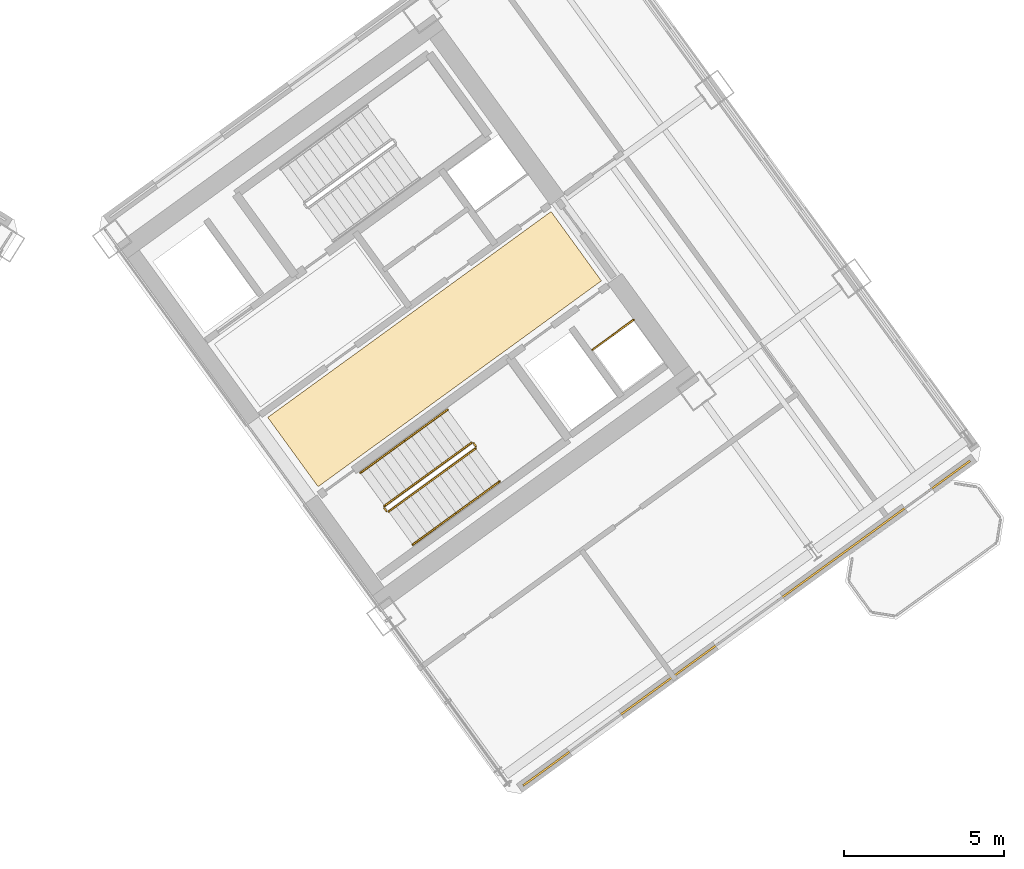
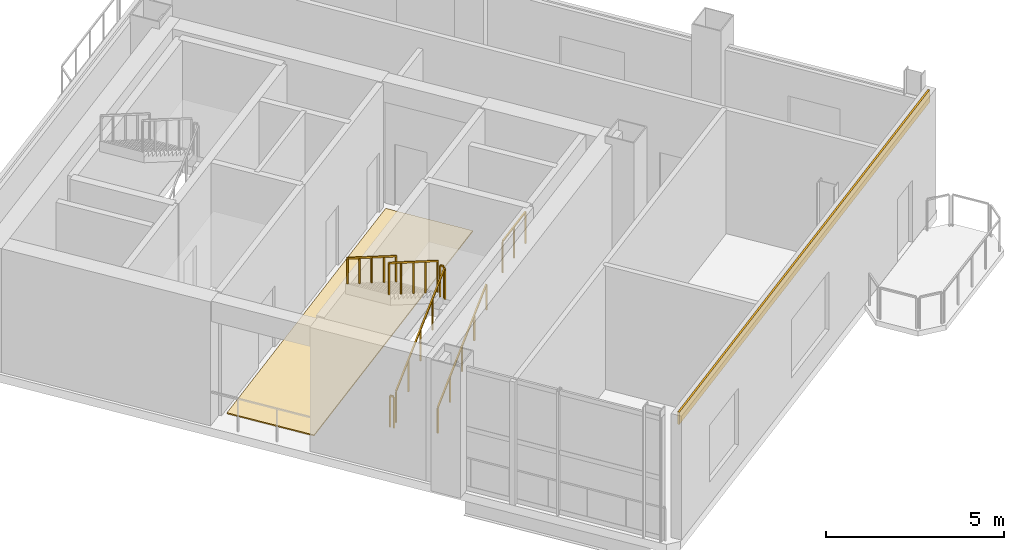
# One storey, part 16 of 18: 9 railings, 2 coverings.
"""IFC4 building model written with IfcOpenShell, lengths in metres."""

import ifcopenshell
import ifcopenshell.guid

model = None  # the IFC model being written
_history = None  # IfcOwnerHistory: only IFC2X3 demands one
_inside = {}  # id of a spatial element -> (the spatial element, [elements in it])
_under = {}  # id of a project, library or spatial element -> (it, [spatial elements below it])
_declared = {}  # id of a project -> (the project, [libraries it declares])
_typed = {}  # id of a type object -> (the type object, [elements of that type])
_made_of = {}  # id of a material, layer set ... -> (it, [elements and type objects made of it])


def new_model(schema):
    """Start an empty IFC model of exactly this schema.

    Asked for "IFC4X3", IfcOpenShell would pick the latest addendum, in which some entities
    have other attributes; the version numbers below select the first issue.
    IFC2X3 requires an IfcOwnerHistory on every rooted entity: one is made here for all.
    """
    global model, _history
    if schema == "IFC4X3":
        model = ifcopenshell.file(schema_version=(4, 3, 0, 0))
    else:
        model = ifcopenshell.file(schema=schema)
    _inside.clear()
    _under.clear()
    _declared.clear()
    _typed.clear()
    _made_of.clear()
    _history = None
    if model.schema == "IFC2X3":
        org = make("IfcOrganization", Name="unknown")
        user = make(
            "IfcPersonAndOrganization",
            ThePerson=make("IfcPerson", FamilyName="unknown"),
            TheOrganization=org,
        )
        app = make(
            "IfcApplication",
            ApplicationDeveloper=org,
            Version="unknown",
            ApplicationFullName="unknown",
            ApplicationIdentifier="unknown",
        )
        _history = make(
            "IfcOwnerHistory",
            OwningUser=user,
            OwningApplication=app,
            ChangeAction="ADDED",
            CreationDate=0,
        )
    return model


def make(cls, **values):
    """One entity of the class cls with the attributes given. An attribute that is None is left unset."""
    return model.create_entity(
        cls, **{name: value for name, value in values.items() if value is not None}
    )


def rooted(cls, **values):
    """An entity with a GlobalId (a new one), such as an element, a storey or a relation."""
    return make(cls, GlobalId=ifcopenshell.guid.new(), OwnerHistory=_history, **values)


def si_unit(unit_type, name, prefix=None):
    """IfcSIUnit, for example si_unit("LENGTHUNIT", "METRE", prefix="MILLI")."""
    return make("IfcSIUnit", UnitType=unit_type, Prefix=prefix, Name=name)


def assignment(units):
    """IfcUnitAssignment: the units of a project."""
    return None if units is None else make("IfcUnitAssignment", Units=units)


def point(xyz):
    """IfcCartesianPoint."""
    return None if xyz is None else make("IfcCartesianPoint", Coordinates=xyz)


def direction(xyz):
    """IfcDirection."""
    return None if xyz is None else make("IfcDirection", DirectionRatios=xyz)


def frame(location, z_axis=None, x_axis=None):
    """IfcAxis2Placement3D, a coordinate frame: its origin and axes. An axis left out is left unset."""
    return make(
        "IfcAxis2Placement3D",
        Location=point(location),
        Axis=direction(z_axis),
        RefDirection=direction(x_axis),
    )


def frame_2d(location, x_axis=None):
    """IfcAxis2Placement2D, a coordinate frame in the plane: its origin and x axis."""
    return make(
        "IfcAxis2Placement2D", Location=point(location), RefDirection=direction(x_axis)
    )


def origin():
    """The frame at (0, 0, 0) with its axes left unset."""
    return frame((0.0, 0.0, 0.0))


def origin_2d():
    """The frame at (0, 0) in the plane with its x axis left unset."""
    return frame_2d((0.0, 0.0))


def place(relative_to, where):
    """IfcLocalPlacement: puts the frame where relative to a parent placement (None: the world)."""
    return make(
        "IfcLocalPlacement", PlacementRelTo=relative_to, RelativePlacement=where
    )


def context(
    kind, dimensions, precision=None, world=None, true_north=None, identifier=None
):
    """IfcGeometricRepresentationContext, for example the 3D "Model" context."""
    return make(
        "IfcGeometricRepresentationContext",
        ContextIdentifier=identifier,
        ContextType=kind,
        CoordinateSpaceDimension=dimensions,
        Precision=precision,
        WorldCoordinateSystem=world,
        TrueNorth=true_north,
    )


def subcontext(parent, identifier, kind, view, scale=None):
    """IfcGeometricRepresentationSubContext, for example "Body" below "Model"."""
    return make(
        "IfcGeometricRepresentationSubContext",
        ContextIdentifier=identifier,
        ContextType=kind,
        ParentContext=parent,
        TargetScale=scale,
        TargetView=view,
    )


def project(units=None, contexts=None):
    """IfcProject with its units and contexts."""
    return rooted(
        "IfcProject",
        Name="project",
        RepresentationContexts=contexts,
        UnitsInContext=assignment(units),
    )


def spatial(cls, under=None, at=None, **own):
    """A site, building, storey or space (cls), placed at a placement, below another one or the project."""
    s = rooted(cls, ObjectPlacement=at, **own)
    if under is not None:
        _under.setdefault(under.id(), (under, []))[1].append(s)
    return s


def polyline(points):
    """IfcPolyline through the points."""
    return make("IfcPolyline", Points=[point(p) for p in points])


def profile(cls, at=None, kind="AREA", **sizes):
    """A parametric profile (cls). Its sizes go by their IFC names, for example OverallWidth=200.0."""
    return make(cls, ProfileType=kind, Position=at, **sizes)


def rectangle(**sizes):
    """IfcRectangleProfileDef."""
    return profile("IfcRectangleProfileDef", **sizes)


def outline(outer, holes=None, kind="AREA"):
    """IfcArbitraryClosedProfileDef: a profile drawn as a closed curve; with holes, ...WithVoids."""
    if holes is None:
        return make("IfcArbitraryClosedProfileDef", ProfileType=kind, OuterCurve=outer)
    return make(
        "IfcArbitraryProfileDefWithVoids",
        ProfileType=kind,
        OuterCurve=outer,
        InnerCurves=holes,
    )


def extrude(swept, where, along, depth):
    """IfcExtrudedAreaSolid: the profile swept, set in the frame where, extruded along a direction by depth."""
    return make(
        "IfcExtrudedAreaSolid",
        SweptArea=swept,
        Position=where,
        ExtrudedDirection=direction(along),
        Depth=depth,
    )


def shape(context_of_items, identifier, shape_type, items):
    """IfcShapeRepresentation: the items that make up one representation, for example the "Body"."""
    return make(
        "IfcShapeRepresentation",
        ContextOfItems=context_of_items,
        RepresentationIdentifier=identifier,
        RepresentationType=shape_type,
        Items=items,
    )


def source(mapping_origin, context_of_items, identifier, shape_type, items):
    """IfcRepresentationMap: a shape defined once, which mapped items show again and again."""
    return make(
        "IfcRepresentationMap",
        MappingOrigin=mapping_origin,
        MappedRepresentation=shape(context_of_items, identifier, shape_type, items),
    )


def transform(
    local_origin,
    x_axis=None,
    y_axis=None,
    z_axis=None,
    scale=None,
    scale2=None,
    scale3=None,
    uniform=True,
):
    """IfcCartesianTransformationOperator3D, or its non-uniform kind. x_axis, y_axis, z_axis: its Axis1, 2, 3."""
    if uniform:
        return make(
            "IfcCartesianTransformationOperator3D",
            Axis1=direction(x_axis),
            Axis2=direction(y_axis),
            LocalOrigin=point(local_origin),
            Scale=scale,
            Axis3=direction(z_axis),
        )
    return make(
        "IfcCartesianTransformationOperator3DnonUniform",
        Axis1=direction(x_axis),
        Axis2=direction(y_axis),
        LocalOrigin=point(local_origin),
        Scale=scale,
        Axis3=direction(z_axis),
        Scale2=scale2,
        Scale3=scale3,
    )


def mapped(mapping_source, mapping_target):
    """IfcMappedItem: shows the shape of a source again, moved by a transform."""
    return make(
        "IfcMappedItem", MappingSource=mapping_source, MappingTarget=mapping_target
    )


def material(Name=None, Category=None):
    """IfcMaterial."""
    return make("IfcMaterial", Name=Name, Category=Category)


def layer(
    of_material, thickness, ventilated=None, Name=None, Category=None, Priority=None
):
    """IfcMaterialLayer: one layer of a wall or slab, of a material (None: an air gap)."""
    return make(
        "IfcMaterialLayer",
        Material=of_material,
        LayerThickness=thickness,
        IsVentilated=ventilated,
        Name=Name,
        Category=Category,
        Priority=Priority,
    )


def layer_set(layers, Name=None):
    """IfcMaterialLayerSet."""
    return make("IfcMaterialLayerSet", MaterialLayers=layers, LayerSetName=Name)


def made_of(thing, what):
    """Note that an element or type object is made of a material, layer set ...; save() writes the relation."""
    if what is not None:
        _made_of.setdefault(what.id(), (what, []))[1].append(thing)
    return thing


def type_object(cls, material=None, **own):
    """A type object (cls), such as IfcWallType, which elements share."""
    return made_of(rooted(cls, **own), material)


def element(
    cls,
    number,
    at=None,
    inside=None,
    cuts=None,
    type_object=None,
    material=None,
    context=None,
    identifier="Body",
    shape_type=None,
    held_by="IfcProductDefinitionShape",
    body=None,
    shapes=None,
    **own,
):
    """One element of the class cls, such as IfcWall. Its Tag is "e" and its number.

    at: its placement. inside: the storey or other place that contains it. cuts: it is an
    opening in that element (IfcRelVoidsElement). A single representation is given by context,
    identifier, shape_type and body (its items); several are given by shapes. held_by: the class
    of the entity that holds the representations. save() writes the other relations.
    """
    e = rooted(cls, Tag="e%d" % number, ObjectPlacement=at, **own)
    if body is not None:
        shapes = [shape(context, identifier, shape_type, body)]
    if shapes is not None:
        e.Representation = make(held_by, Representations=shapes)
    if inside is not None:
        _inside.setdefault(inside.id(), (inside, []))[1].append(e)
    if cuts is not None:
        rooted(
            "IfcRelVoidsElement", RelatingBuildingElement=cuts, RelatedOpeningElement=e
        )
    if type_object is not None:
        _typed.setdefault(type_object.id(), (type_object, []))[1].append(e)
    return made_of(e, material)


def aggregate(whole, parts):
    """IfcRelAggregates: a whole, such as a stair, and the parts it consists of."""
    return rooted("IfcRelAggregates", RelatingObject=whole, RelatedObjects=parts)


def save(model, path):
    """Write the relations noted so far, then the file.

    IfcRelAggregates (storeys below a building ...), IfcRelContainedInSpatialStructure (elements
    in a storey), IfcRelDefinesByType, IfcRelAssociatesMaterial and IfcRelDeclares: one each for
    every whole, place, type object, material and project.
    """
    for whole, parts in _under.values():
        aggregate(whole, parts)
    for where, things in _inside.values():
        rooted(
            "IfcRelContainedInSpatialStructure",
            RelatedElements=things,
            RelatingStructure=where,
        )
    for kind, things in _typed.values():
        rooted("IfcRelDefinesByType", RelatedObjects=things, RelatingType=kind)
    for what, things in _made_of.values():
        rooted("IfcRelAssociatesMaterial", RelatedObjects=things, RelatingMaterial=what)
    for by, libraries in _declared.values():
        rooted("IfcRelDeclares", RelatingContext=by, RelatedDefinitions=libraries)
    model.write(path)


model = new_model("IFC4")

# Units and contexts
model_context = context("Model", 3, precision=1e-05, world=origin(), true_north=direction((0.0, 1.0)))
body_context = subcontext(model_context, "Body", "Model", "MODEL_VIEW")
ifc_project = project(units=[si_unit("LENGTHUNIT", "METRE"), si_unit("AREAUNIT", "SQUARE_METRE"), si_unit("VOLUMEUNIT", "CUBIC_METRE"), si_unit("PLANEANGLEUNIT", "RADIAN"), si_unit("MASSUNIT", "GRAM", prefix="KILO")], contexts=[model_context])

# Site, building, storey
site_placement = place(None, origin())
site = spatial("IfcSite", under=ifc_project, at=site_placement, CompositionType="ELEMENT")
building_placement = place(site_placement, origin())
building = spatial("IfcBuilding", under=site, at=building_placement, Name="Tlacorven Tower", CompositionType="ELEMENT")
storey_placement = place(building_placement, frame((0.0, 0.0, 136.199951171875)))
storey = spatial("IfcBuildingStorey", under=building, at=storey_placement, Name="L34", CompositionType="ELEMENT", Elevation=136.199951171875)

# Covering
ifc_material_1 = material(Name="Terrazzo and ceramic flooring")
ifc_layer_1 = layer(ifc_material_1, 0.0400390625)
ifc_layer_set_1 = layer_set([ifc_layer_1], Name="Terrazzo and ceramic flooring")
covering_type_1 = type_object("IfcCoveringType", Name="CV-FLR-TERZ", PredefinedType="FLOORING", material=ifc_layer_set_1)
covering_1_placement = place(storey_placement, origin())
element("IfcCovering", 1, at=covering_1_placement, inside=storey, type_object=covering_type_1, Name="L34 Terrazzo Floor Finish 4", PredefinedType="FLOORING", context=body_context, shape_type="SweptSolid", body=[
    extrude(outline(polyline([(50.57080078125, 16.834228515625), (48.99560546875, 19.00244140625), (57.8623046875, 25.444580078125), (59.437744140625, 23.2763671875), (50.57080078125, 16.834228515625)])), origin(), (0.0, 0.0, 1.0), 0.0400390625),
])

# Railing
ifc_material_2 = material(Name="Aluminium and painted steel balustrade", Category="steel")
railing_type_1 = type_object("IfcRailingType", Name="RL-GRD-1100", PredefinedType="GUARDRAIL", material=ifc_material_2)
shared_shape_1 = source(origin(), body_context, "Body", "SweptSolid", [
    extrude(rectangle(XDim=0.048095703125, YDim=0.048095703125, at=origin_2d()), frame((0.0, 0.0, 1.076171875), z_axis=(0.809029975545, 0.58776738483, 0.0), x_axis=(-0.58776738483, 0.809029975545, 0.0)), (0.0, 0.0, 1.0), 1.580078125),
    extrude(rectangle(XDim=0.0419921875, YDim=0.0419921875, at=origin_2d()), origin(), (0.0, 0.0, 1.0), 1.052001953125),
    extrude(rectangle(XDim=0.0419921875, YDim=0.0419921875, at=origin_2d()), frame((0.63916015625, 0.46435546875, 0.0)), (0.0, 0.0, 1.0), 1.052001953125),
    extrude(rectangle(XDim=0.0419921875, YDim=0.0419921875, at=origin_2d()), frame((1.2783203125, 0.9287109375, 0.0)), (0.0, 0.0, 1.0), 1.052001953125),
])
railing_1_placement = place(storey_placement, frame((59.160888671875, 21.122314453125, 0.0)))
element("IfcRailing", 2, at=railing_1_placement, inside=storey, type_object=railing_type_1, Name="L34 Smoke Riser E Shaft Guard 1", PredefinedType="GUARDRAIL", context=body_context, shape_type="MappedRepresentation", body=[
    mapped(shared_shape_1, transform((0.0, 0.0, 0.0), scale=1.0)),
])

# Covering
ifc_material_3 = material(Name="Precast concrete C45/55", Category="concrete")
ifc_layer_2 = layer(ifc_material_3, 0.06005859375)
ifc_layer_set_2 = layer_set([ifc_layer_2], Name="Precast concrete C45/55")
covering_type_2 = type_object("IfcCoveringType", Name="CV-CLD-TERC", PredefinedType="CLADDING", material=ifc_layer_set_2)
shared_shape_2 = source(origin(), body_context, "Body", "SweptSolid", [
    extrude(rectangle(XDim=17.287353515625, YDim=0.06005859375, at=origin_2d()), origin(), (0.0, 0.0, 1.0), 0.419921875),
])
covering_2_placement = place(storey_placement, frame((63.9833984375, 12.562255859375, 3.830078125), z_axis=(0.0, 0.0, 1.0), x_axis=(-0.809017097486, -0.587785110372, 0.0)))
element("IfcCovering", 3, at=covering_2_placement, inside=storey, type_object=covering_type_2, Name="L34 Masonry-Frame Spandrel Cladding 6", PredefinedType="CLADDING", context=body_context, shape_type="MappedRepresentation", body=[
    mapped(shared_shape_2, transform((0.0, 0.0, 0.0), scale=1.0)),
])

# Railings
shared_shape_3 = source(origin(), body_context, "Body", "SweptSolid", [
    extrude(rectangle(XDim=0.048095703125, YDim=0.048095703125, at=origin_2d()), frame((0.0, 0.0, 1.076171875), z_axis=(-0.587567097037, 0.809175448515, 0.0), x_axis=(-0.809175448515, -0.587567097037, 0.0)), (0.0, 0.0, 1.0), 0.1201171875),
    extrude(rectangle(XDim=0.0419921875, YDim=0.0419921875, at=origin_2d()), origin(), (0.0, 0.0, 1.0), 1.052001953125),
    extrude(rectangle(XDim=0.0419921875, YDim=0.0419921875, at=origin_2d()), frame((-0.070556640625, 0.09716796875, 0.0)), (0.0, 0.0, 1.0), 1.052001953125),
])
for number, where, name in (
    (4, (55.510498046875, 18.099365234375, 2.25), "L34 ST-E2 stair guard 2"),
    (5, (52.71142578125, 16.065673828125, 0.0), "L34 ST-E2 stair guard 4"),
):
    element("IfcRailing", number, at=place(storey_placement, frame(where)), inside=storey, type_object=railing_type_1, Name=name, PredefinedType="GUARDRAIL", context=body_context, shape_type="MappedRepresentation", body=[
        mapped(shared_shape_3, transform((0.0, 0.0, 0.0), scale=1.0)),
    ])
shared_shape_4 = source(origin(), body_context, "Body", "SweptSolid", [
    extrude(rectangle(XDim=0.048095703125, YDim=0.048095703125, at=origin_2d()), frame((0.0, 0.0, 1.076171875), z_axis=(0.688166980386, 0.499962520599, 0.525798141023), x_axis=(-0.587769819143, 0.809028206989, 0.0)), (0.0, 0.0, 1.0), 3.949951171875),
    extrude(rectangle(XDim=0.0419921875, YDim=0.0419921875, at=origin_2d()), origin(), (0.0, 0.0, 1.0), 1.052001953125),
    extrude(rectangle(XDim=0.0419921875, YDim=0.0419921875, at=origin_2d()), frame((0.6796875, 0.49365234375, 0.519287109375)), (0.0, 0.0, 1.0), 1.052001953125),
    extrude(rectangle(XDim=0.0419921875, YDim=0.0419921875, at=origin_2d()), frame((1.359130859375, 0.9873046875, 1.03857421875)), (0.0, 0.0, 1.0), 1.052001953125),
    extrude(rectangle(XDim=0.0419921875, YDim=0.0419921875, at=origin_2d()), frame((2.03857421875, 1.481201171875, 1.5576171875)), (0.0, 0.0, 1.0), 1.052001953125),
    extrude(rectangle(XDim=0.0419921875, YDim=0.0419921875, at=origin_2d()), frame((2.71826171875, 1.974853515625, 2.076904296875)), (0.0, 0.0, 1.0), 1.052001953125),
])
railing_2_placement = place(storey_placement, frame((52.78125, 16.0546875, 0.173095703125)))
element("IfcRailing", 6, at=railing_2_placement, inside=storey, type_object=railing_type_1, Name="L34 ST-E2 stair guard 1", PredefinedType="GUARDRAIL", context=body_context, shape_type="MappedRepresentation", body=[
    mapped(shared_shape_4, transform((0.0, 0.0, 0.0), scale=1.0)),
])
shared_shape_5 = source(origin(), body_context, "Body", "SweptSolid", [
    extrude(rectangle(XDim=0.048095703125, YDim=0.048095703125, at=origin_2d()), frame((0.0, 0.0, 1.076171875), z_axis=(-0.688166980386, -0.499962520599, 0.525798141023), x_axis=(0.587769819143, -0.809028206989, 0.0)), (0.0, 0.0, 1.0), 3.949951171875),
    extrude(rectangle(XDim=0.0419921875, YDim=0.0419921875, at=origin_2d()), origin(), (0.0, 0.0, 1.0), 1.052001953125),
    extrude(rectangle(XDim=0.0419921875, YDim=0.0419921875, at=origin_2d()), frame((-0.6796875, -0.49365234375, 0.519287109375)), (0.0, 0.0, 1.0), 1.052001953125),
    extrude(rectangle(XDim=0.0419921875, YDim=0.0419921875, at=origin_2d()), frame((-1.359130859375, -0.9873046875, 1.03857421875)), (0.0, 0.0, 1.0), 1.052001953125),
    extrude(rectangle(XDim=0.0419921875, YDim=0.0419921875, at=origin_2d()), frame((-2.03857421875, -1.481201171875, 1.5576171875)), (0.0, 0.0, 1.0), 1.052001953125),
    extrude(rectangle(XDim=0.0419921875, YDim=0.0419921875, at=origin_2d()), frame((-2.71826171875, -1.974853515625, 2.076904296875)), (0.0, 0.0, 1.0), 1.052001953125),
])
railing_3_placement = place(storey_placement, frame((55.3701171875, 18.20751953125, 2.423095703125)))
element("IfcRailing", 7, at=railing_3_placement, inside=storey, type_object=railing_type_1, Name="L34 ST-E2 stair guard 3", PredefinedType="GUARDRAIL", context=body_context, shape_type="MappedRepresentation", body=[
    mapped(shared_shape_5, transform((0.0, 0.0, 0.0), scale=1.0)),
])
railing_type_2 = type_object("IfcRailingType", Name="RL-HND-0900", PredefinedType="HANDRAIL", material=ifc_material_2)
shared_shape_6 = source(origin(), body_context, "Body", "SweptSolid", [
    extrude(rectangle(XDim=0.048095703125, YDim=0.048095703125, at=origin_2d()), frame((0.0, 0.0, 0.8759765625), z_axis=(0.688123352181, 0.499992627909, 0.525826610414), x_axis=(-0.587817375869, 0.808993654256, 0.0)), (0.0, 0.0, 1.0), 1.97509765625),
    extrude(rectangle(XDim=0.0419921875, YDim=0.0419921875, at=origin_2d()), origin(), (0.0, 0.0, 1.0), 0.851806640625),
    extrude(rectangle(XDim=0.0419921875, YDim=0.0419921875, at=origin_2d()), frame((0.6796875, 0.49365234375, 0.519287109375)), (0.0, 0.0, 1.0), 0.851806640625),
    extrude(rectangle(XDim=0.0419921875, YDim=0.0419921875, at=origin_2d()), frame((1.359130859375, 0.987548828125, 1.03857421875)), (0.0, 0.0, 1.0), 0.851806640625),
])
railing_4_placement = place(storey_placement, frame((53.53369140625, 15.01904296875, 0.173095703125)))
element("IfcRailing", 8, at=railing_4_placement, inside=storey, type_object=railing_type_2, Name="L34 ST-E2 stair handrail 1", PredefinedType="HANDRAIL", context=body_context, shape_type="MappedRepresentation", body=[
    mapped(shared_shape_6, transform((0.0, 0.0, 0.0), scale=1.0)),
])
shared_shape_7 = source(origin(), body_context, "Body", "SweptSolid", [
    extrude(rectangle(XDim=0.048095703125, YDim=0.048095703125, at=origin_2d()), frame((0.0, 0.0, 0.8759765625), z_axis=(-0.688123352181, -0.499992627909, 0.525826610414), x_axis=(0.587817375869, -0.808993654256, 0.0)), (0.0, 0.0, 1.0), 1.97509765625),
    extrude(rectangle(XDim=0.0419921875, YDim=0.0419921875, at=origin_2d()), origin(), (0.0, 0.0, 1.0), 0.851806640625),
    extrude(rectangle(XDim=0.0419921875, YDim=0.0419921875, at=origin_2d()), frame((-0.6796875, -0.49365234375, 0.519287109375)), (0.0, 0.0, 1.0), 0.851806640625),
    extrude(rectangle(XDim=0.0419921875, YDim=0.0419921875, at=origin_2d()), frame((-1.359130859375, -0.987548828125, 1.03857421875)), (0.0, 0.0, 1.0), 0.851806640625),
])
railing_5_placement = place(storey_placement, frame((54.617919921875, 19.2431640625, 2.423095703125)))
element("IfcRailing", 9, at=railing_5_placement, inside=storey, type_object=railing_type_2, Name="L34 ST-E2 stair handrail 3", PredefinedType="HANDRAIL", context=body_context, shape_type="MappedRepresentation", body=[
    mapped(shared_shape_7, transform((0.0, 0.0, 0.0), scale=1.0)),
])
shared_shape_8 = source(origin(), body_context, "Body", "SweptSolid", [
    extrude(rectangle(XDim=0.048095703125, YDim=0.048095703125, at=origin_2d()), frame((0.0, 0.0, 0.8759765625), z_axis=(-0.688168076653, -0.500025124854, 0.525737170829), x_axis=(0.587817375869, -0.808993654256, 0.0)), (0.0, 0.0, 1.0), 1.97509765625),
    extrude(rectangle(XDim=0.0419921875, YDim=0.0419921875, at=origin_2d()), origin(), (0.0, 0.0, 1.0), 0.851806640625),
    extrude(rectangle(XDim=0.0419921875, YDim=0.0419921875, at=origin_2d()), frame((-0.6796875, -0.49365234375, 0.51904296875)), (0.0, 0.0, 1.0), 0.851806640625),
    extrude(rectangle(XDim=0.0419921875, YDim=0.0419921875, at=origin_2d()), frame((-1.359130859375, -0.987548828125, 1.038330078125)), (0.0, 0.0, 1.0), 0.851806640625),
])
railing_6_placement = place(storey_placement, frame((53.2587890625, 18.255615234375, 3.461669921875)))
element("IfcRailing", 10, at=railing_6_placement, inside=storey, type_object=railing_type_2, Name="L34 ST-E2 stair handrail 4", PredefinedType="HANDRAIL", context=body_context, shape_type="MappedRepresentation", body=[
    mapped(shared_shape_8, transform((0.0, 0.0, 0.0), scale=1.0)),
])
shared_shape_9 = source(origin(), body_context, "Body", "SweptSolid", [
    extrude(rectangle(XDim=0.048095703125, YDim=0.048095703125, at=origin_2d()), frame((0.0, 0.0, 0.8759765625), z_axis=(0.688168076653, 0.500025124854, 0.525737170829), x_axis=(-0.587817375869, 0.808993654256, 0.0)), (0.0, 0.0, 1.0), 1.97509765625),
    extrude(rectangle(XDim=0.0419921875, YDim=0.0419921875, at=origin_2d()), origin(), (0.0, 0.0, 1.0), 0.851806640625),
    extrude(rectangle(XDim=0.0419921875, YDim=0.0419921875, at=origin_2d()), frame((0.6796875, 0.49365234375, 0.51904296875)), (0.0, 0.0, 1.0), 0.851806640625),
    extrude(rectangle(XDim=0.0419921875, YDim=0.0419921875, at=origin_2d()), frame((1.359130859375, 0.987548828125, 1.038330078125)), (0.0, 0.0, 1.0), 0.851806640625),
])
railing_7_placement = place(storey_placement, frame((54.892822265625, 16.006591796875, 1.211669921875)))
element("IfcRailing", 11, at=railing_7_placement, inside=storey, type_object=railing_type_2, Name="L34 ST-E2 stair handrail 2", PredefinedType="HANDRAIL", context=body_context, shape_type="MappedRepresentation", body=[
    mapped(shared_shape_9, transform((0.0, 0.0, 0.0), scale=1.0)),
])

save(model, "model.ifc")
